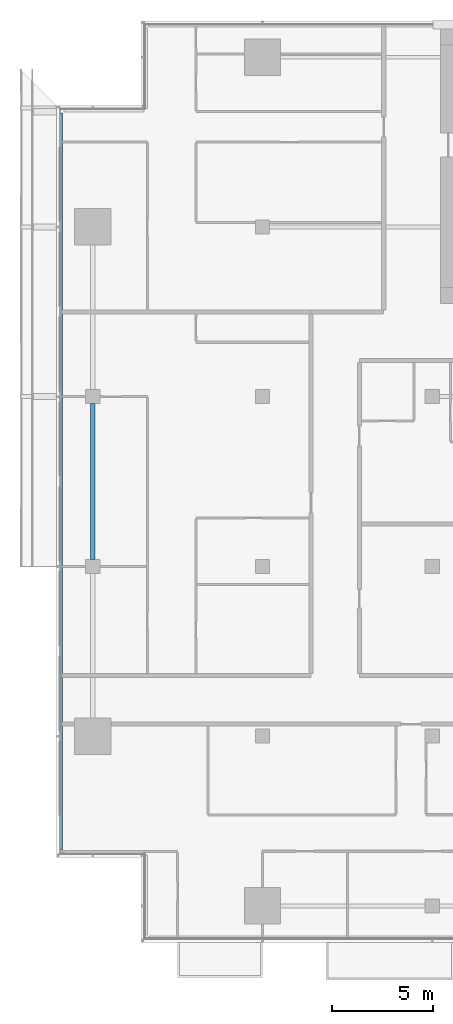
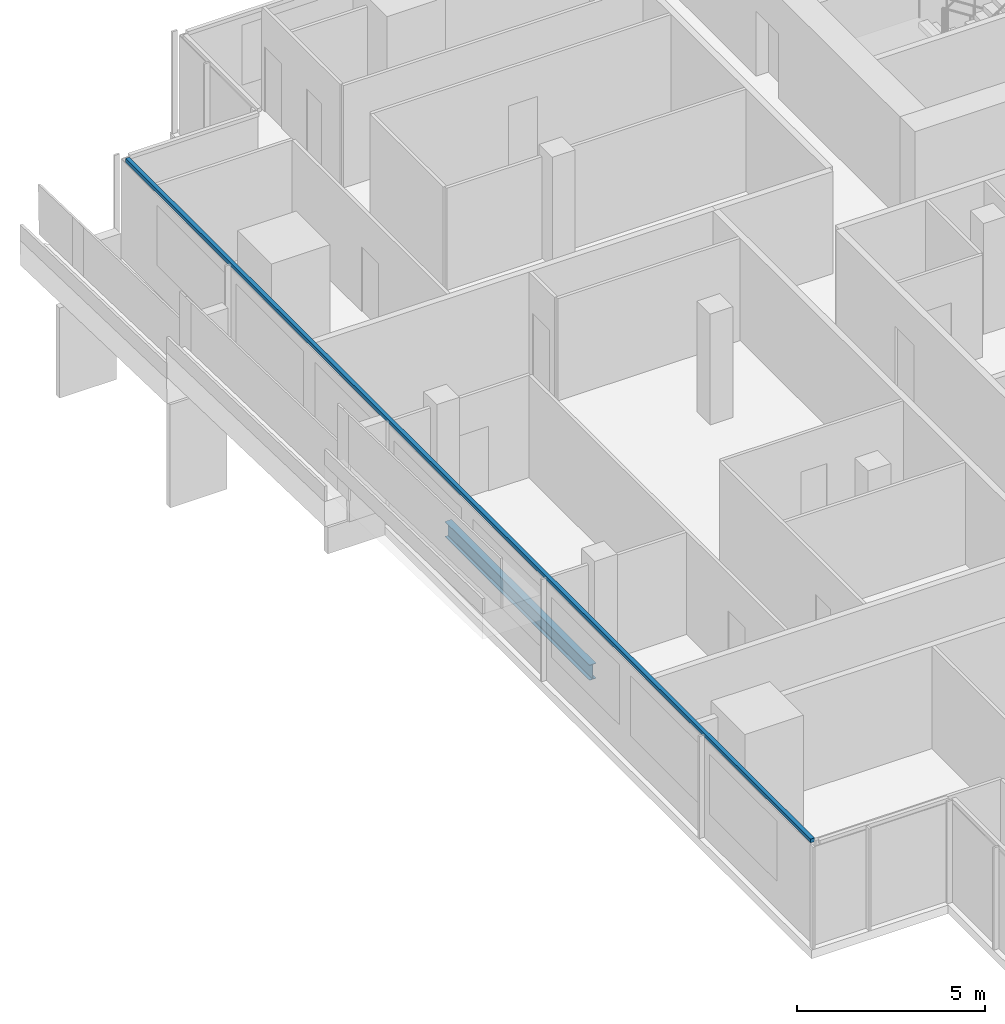
# One storey, part 3 of 29: 1 beam, 1 member, 1 element without a shape of its own.
"""IFC4 building model written with IfcOpenShell, lengths in metres."""

from ifc_helpers import new_model, si_unit, direction, frame, origin, origin_2d, place, context, subcontext, project, spatial, rectangle, i_section, extrude, material, material_profile, profile_set, type_object, element, aggregate, save


model = new_model("IFC4")

# Units and contexts
model_context = context("Model", 3, precision=1e-05, world=origin(), true_north=direction((0.0, 1.0)))
body_context = subcontext(model_context, "Body", "Model", "MODEL_VIEW")
ifc_project = project(units=[si_unit("LENGTHUNIT", "METRE"), si_unit("AREAUNIT", "SQUARE_METRE"), si_unit("VOLUMEUNIT", "CUBIC_METRE"), si_unit("PLANEANGLEUNIT", "RADIAN"), si_unit("MASSUNIT", "GRAM", prefix="KILO")], contexts=[model_context])

# Site, building, storey
site_placement = place(None, origin())
site = spatial("IfcSite", under=ifc_project, at=site_placement, CompositionType="ELEMENT")
building_placement = place(site_placement, origin())
building = spatial("IfcBuilding", under=site, at=building_placement, Name="Saffron Gate Tower", CompositionType="ELEMENT")
storey_placement = place(building_placement, frame((0.0, 0.0, 161.85009765625)))
storey = spatial("IfcBuildingStorey", under=building, at=storey_placement, Name="L39", CompositionType="ELEMENT", Elevation=161.85009765625)

# Beam
ifc_material_1 = material(Name="Structural steel S355", Category="steel")
ifc_material_profile_1 = material_profile(ifc_material_1, i_section(OverallWidth=0.199951171875, OverallDepth=0.5, WebThickness=0.01025390625, FlangeThickness=0.01611328125, FilletRadius=0.02099609375, at=origin_2d()))
ifc_profile_set_1 = profile_set([ifc_material_profile_1], Name="Structural steel S355")
beam_type = type_object("IfcBeamType", Name="B11 IPE 500", PredefinedType="SPANDREL", material=ifc_profile_set_1)
beam_placement = place(storey_placement, frame((49.800048828125, 48.949951171875, -0.530029296875), z_axis=(0.0, 1.0, 0.0), x_axis=(-1.0, 0.0, 0.0)))
element("IfcBeam", 1, at=beam_placement, inside=storey, type_object=beam_type, Name="B11 SPANDREL BEAM", PredefinedType="SPANDREL", context=body_context, shape_type="SweptSolid", body=[
    extrude(i_section(OverallWidth=0.199951171875, OverallDepth=0.5, WebThickness=0.01025390625, FlangeThickness=0.01611328125, FilletRadius=0.02099609375, at=origin_2d()), origin(), (0.0, 0.0, 1.0), 7.699951171875),
])

# Curtain wall, member
ifc_material_2 = material(Name="Aluminium, bronze anodised", Category="aluminium")
curtain_wall_type = type_object("IfcCurtainWallType", Name="CWS2 curtain wall side facades", PredefinedType="NOTDEFINED", material=ifc_material_2)
curtain_wall_placement = place(storey_placement, origin())
curtain_wall = element("IfcCurtainWall", 2, at=curtain_wall_placement, inside=storey, type_object=curtain_wall_type, Name="CWS2 run 10", PredefinedType="NOTDEFINED")
ifc_material_profile_2 = material_profile(ifc_material_2, rectangle(XDim=0.1201171875, YDim=0.1201171875, at=origin_2d()))
ifc_profile_set_2 = profile_set([ifc_material_profile_2], Name="Aluminium, bronze anodised")
member_type = type_object("IfcMemberType", Name="CWS2 head transom", PredefinedType="USERDEFINED", material=ifc_profile_set_2)
member_placement = place(storey_placement, frame((48.248046875, 71.031982421875, 3.260009765625), z_axis=(0.0, -1.0, 0.0), x_axis=(1.0, 0.0, 0.0)))
member = element("IfcMember", 3, at=member_placement, type_object=member_type, Name="CWS2 head transom", ObjectType="TRANSOM", PredefinedType="USERDEFINED", context=body_context, shape_type="SweptSolid", body=[
    extrude(rectangle(XDim=0.1201171875, YDim=0.1201171875, at=origin_2d()), origin(), (0.0, 0.0, 1.0), 36.4638671875),
])
aggregate(curtain_wall, [member])

save(model, "model.ifc")
